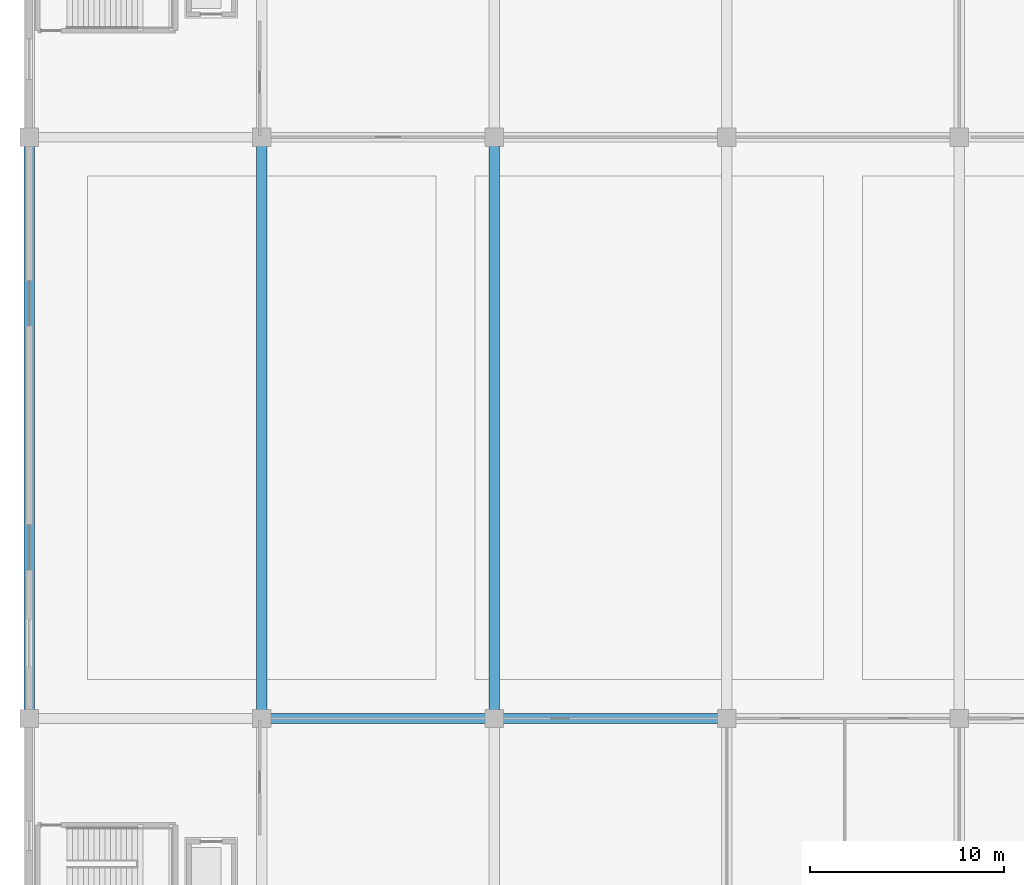
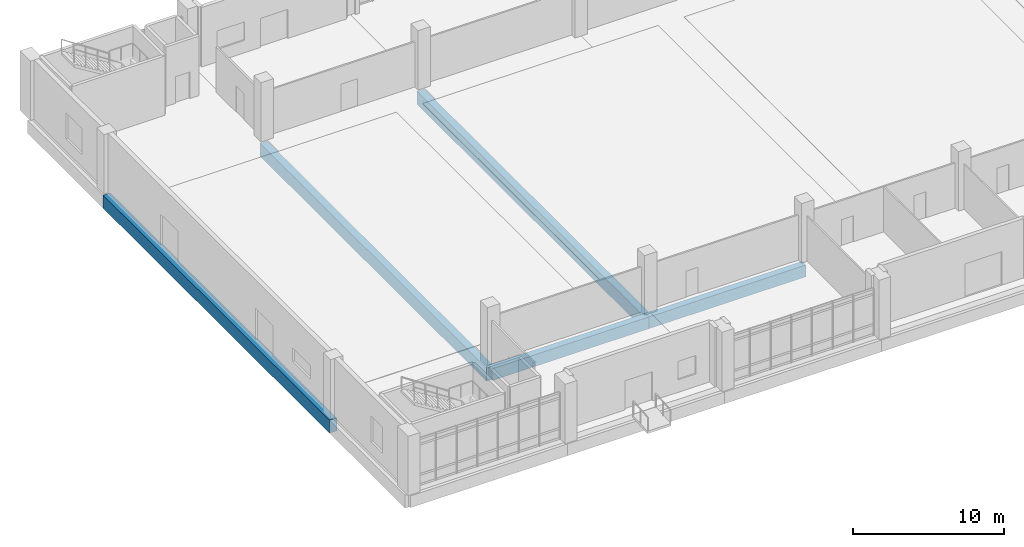
# One storey, part 9 of 87: 5 beams.
"""IFC4 building model written with IfcOpenShell, lengths in metres."""

from ifc_helpers import new_model, si_unit, direction, frame, origin, origin_2d, place, context, subcontext, project, spatial, rectangle, extrude, material, material_profile, profile_set, type_object, element, save


model = new_model("IFC4")

# Units and contexts
model_context = context("Model", 3, precision=1e-05, world=origin(), true_north=direction((0.0, 1.0)))
body_context = subcontext(model_context, "Body", "Model", "MODEL_VIEW")
ifc_project = project(units=[si_unit("LENGTHUNIT", "METRE"), si_unit("AREAUNIT", "SQUARE_METRE"), si_unit("VOLUMEUNIT", "CUBIC_METRE"), si_unit("PLANEANGLEUNIT", "RADIAN"), si_unit("MASSUNIT", "GRAM", prefix="KILO")], contexts=[model_context])

# Site, building, storey
site_placement = place(None, origin())
site = spatial("IfcSite", under=ifc_project, at=site_placement, CompositionType="ELEMENT")
building_placement = place(site_placement, origin())
building = spatial("IfcBuilding", under=site, at=building_placement, Name="Mersad Railyard Sports Hall", CompositionType="ELEMENT")
storey_placement = place(building_placement, origin())
storey = spatial("IfcBuildingStorey", under=building, at=storey_placement, Name="L00", CompositionType="ELEMENT", Elevation=0.0)

# Beams
ifc_material = material(Name="Concrete C50/60", Category="concrete")
ifc_material_profile_1 = material_profile(ifc_material, rectangle(XDim=0.5, YDim=0.949951171875, at=origin_2d()), Name="RC 500x950")
ifc_profile_set_1 = profile_set([ifc_material_profile_1], Name="Concrete C50/60")
beam_type_1 = type_object("IfcBeamType", Name="STR-BM-B03", PredefinedType="BEAM", material=ifc_profile_set_1)
for number, where, z_axis, x_axis, name in (
    (1, (19.0, 13.5, -0.925048828125), (1.0, 0.0, 0.0), (0.0, 1.0, 0.0), "Beam B03-0009"),
    (2, (31.0, 13.5, -0.925048828125), (1.0, 0.0, 0.0), (0.0, 1.0, 0.0), "Beam B03-0010"),
):
    element("IfcBeam", number, at=place(storey_placement, frame(where, z_axis=z_axis, x_axis=x_axis)), inside=storey, type_object=beam_type_1, Name=name, PredefinedType="BEAM", context=body_context, shape_type="SweptSolid", body=[
        extrude(rectangle(XDim=0.5, YDim=0.949951171875, at=origin_2d()), origin(), (0.0, 0.0, 1.0), 12.0),
    ])
ifc_material_profile_2 = material_profile(ifc_material, rectangle(XDim=0.550048828125, YDim=1.050048828125, at=origin_2d()), Name="RC 550x1050")
ifc_profile_set_2 = profile_set([ifc_material_profile_2], Name="Concrete C50/60")
beam_type_2 = type_object("IfcBeamType", Name="STR-BM-B04", PredefinedType="BEAM", material=ifc_profile_set_2)
for number, where, z_axis, x_axis, name in (
    (3, (7.0, 13.5, -0.97509765625), (0.0, 1.0, 0.0), (-1.0, 0.0, 0.0), "Beam B04-0030"),
    (4, (19.0, 13.5, -0.97509765625), (0.0, 1.0, 0.0), (-1.0, 0.0, 0.0), "Beam B04-0033"),
    (5, (31.0, 13.5, -0.97509765625), (0.0, 1.0, 0.0), (-1.0, 0.0, 0.0), "Beam B04-0036"),
):
    element("IfcBeam", number, at=place(storey_placement, frame(where, z_axis=z_axis, x_axis=x_axis)), inside=storey, type_object=beam_type_2, Name=name, PredefinedType="BEAM", context=body_context, shape_type="SweptSolid", body=[
        extrude(rectangle(XDim=0.550048828125, YDim=1.050048828125, at=origin_2d()), origin(), (0.0, 0.0, 1.0), 30.0),
    ])

save(model, "model.ifc")
